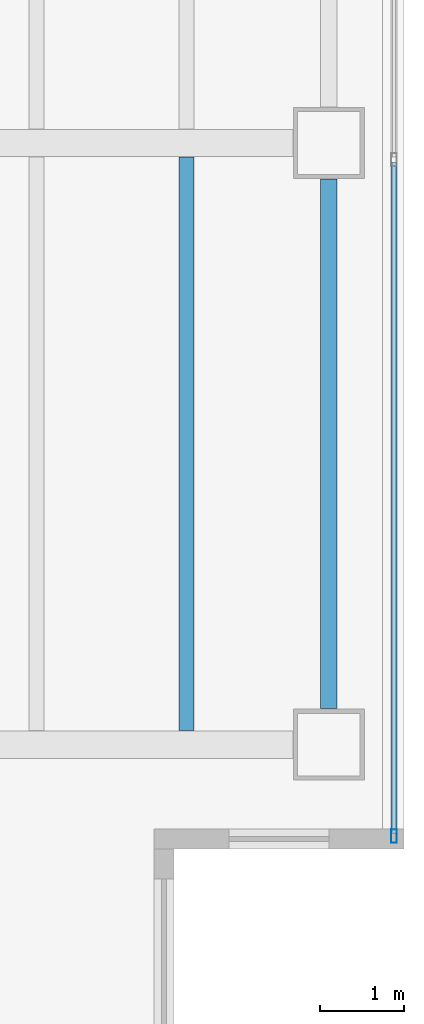
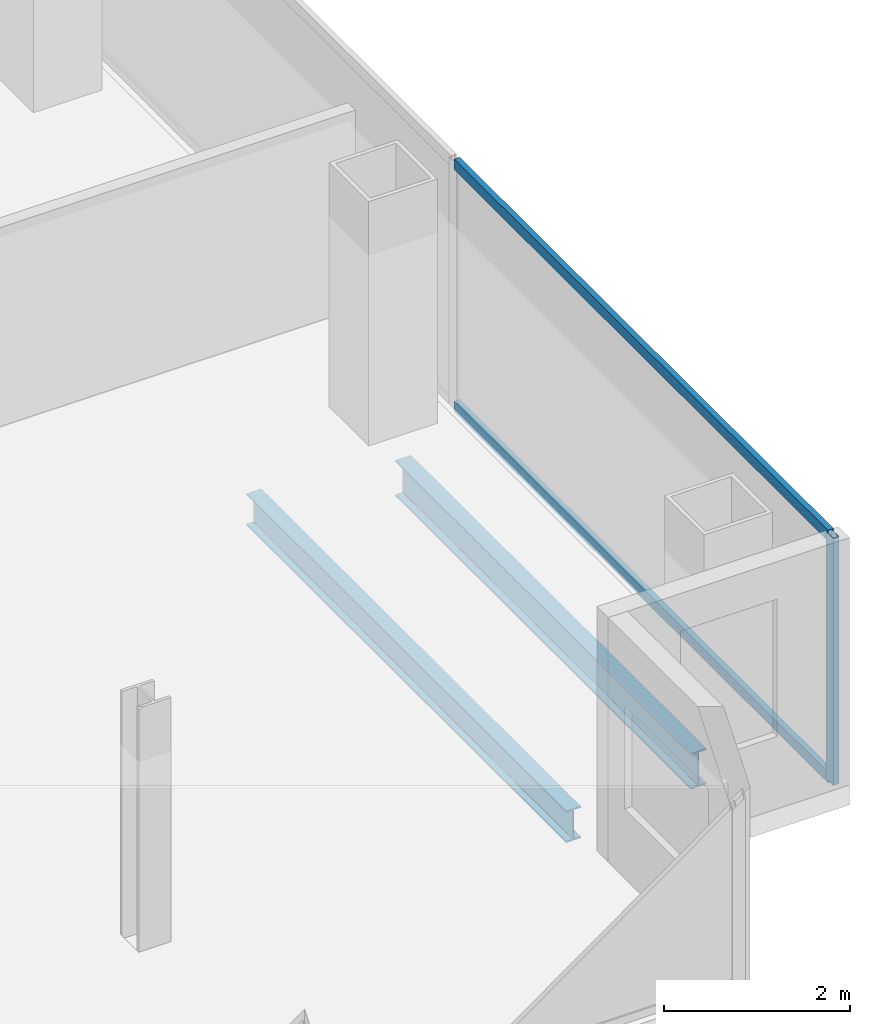
# One storey, part 12 of 23: 3 members, 2 beams, 1 element without a shape of its own.
"""IFC4 building model written with IfcOpenShell, lengths in metres."""

from ifc_helpers import new_model, si_unit, direction, frame, origin, origin_2d, place, context, subcontext, project, spatial, hollow_rectangle, i_section, extrude, material, material_profile, profile_set, type_object, element, aggregate, save


model = new_model("IFC4")

# Units and contexts
model_context = context("Model", 3, precision=1e-05, world=origin(), true_north=direction((0.0, 1.0)))
body_context = subcontext(model_context, "Body", "Model", "MODEL_VIEW")
ifc_project = project(units=[si_unit("LENGTHUNIT", "METRE"), si_unit("AREAUNIT", "SQUARE_METRE"), si_unit("VOLUMEUNIT", "CUBIC_METRE"), si_unit("PLANEANGLEUNIT", "RADIAN"), si_unit("MASSUNIT", "GRAM", prefix="KILO")], contexts=[model_context])

# Site, building, storey
site_placement = place(None, origin())
site = spatial("IfcSite", under=ifc_project, at=site_placement, CompositionType="ELEMENT")
building_placement = place(site_placement, origin())
building = spatial("IfcBuilding", under=site, at=building_placement, Name="Cobrela Telecom Tower", CompositionType="ELEMENT")
storey_placement = place(building_placement, frame((0.0, 0.0, 176.75)))
storey = spatial("IfcBuildingStorey", under=building, at=storey_placement, Name="L44", CompositionType="ELEMENT", Elevation=176.75)

# Beams
ifc_material_1 = material(Name="Steel ASTM A992 Grade 50", Category="steel")
ifc_material_profile_1 = material_profile(ifc_material_1, i_section(OverallWidth=0.179931640625, OverallDepth=0.4169921875, WebThickness=0.010986328125, FlangeThickness=0.01806640625, FilletRadius=0.011962890625, at=origin_2d()), Name="W16X57")
ifc_profile_set_1 = profile_set([ifc_material_profile_1], Name="Steel ASTM A992 Grade 50")
beam_type_1 = type_object("IfcBeamType", Name="BM-JOIST-04", PredefinedType="JOIST", material=ifc_profile_set_1)
beam_1_placement = place(storey_placement, frame((41.39990234375, 7.368896484375, -0.468505859375), z_axis=(0.0, 1.0, 0.0), x_axis=(-1.0, 0.0, 0.0)))
element("IfcBeam", 1, at=beam_1_placement, inside=storey, type_object=beam_type_1, Name="L44 Secondary Composite Floor Beam J29", PredefinedType="JOIST", context=body_context, shape_type="SweptSolid", body=[
    extrude(i_section(OverallWidth=0.179931640625, OverallDepth=0.4169921875, WebThickness=0.010986328125, FlangeThickness=0.01806640625, FilletRadius=0.011962890625, at=origin_2d()), origin(), (0.0, 0.0, 1.0), 6.862060546875),
])
ifc_material_profile_2 = material_profile(ifc_material_1, i_section(OverallWidth=0.193115234375, OverallDepth=0.467041015625, WebThickness=0.011474609375, FlangeThickness=0.01904296875, FilletRadius=0.012939453125, at=origin_2d()), Name="W18X65")
ifc_profile_set_2 = profile_set([ifc_material_profile_2], Name="Steel ASTM A992 Grade 50")
beam_type_2 = type_object("IfcBeamType", Name="BM-SPAND-05", PredefinedType="SPANDREL", material=ifc_profile_set_2)
beam_2_placement = place(storey_placement, frame((43.10009765625, 7.6298828125, -0.493408203125), z_axis=(0.0, 1.0, 0.0), x_axis=(-1.0, 0.0, 0.0)))
element("IfcBeam", 2, at=beam_2_placement, inside=storey, type_object=beam_type_2, Name="L44 Perimeter Spandrel Y42", PredefinedType="SPANDREL", context=body_context, shape_type="SweptSolid", body=[
    extrude(i_section(OverallWidth=0.193115234375, OverallDepth=0.467041015625, WebThickness=0.011474609375, FlangeThickness=0.01904296875, FilletRadius=0.012939453125, at=origin_2d()), origin(), (0.0, 0.0, 1.0), 6.340087890625),
])

# Curtain wall, members
ifc_material_2 = material(Name="Anodized Bronze Aluminium 6063-T6", Category="aluminium")
curtain_wall_type = type_object("IfcCurtainWallType", Name="CW-SYS-OFF-LO", PredefinedType="USERDEFINED", material=ifc_material_2)
curtain_wall_placement = place(storey_placement, origin())
curtain_wall = element("IfcCurtainWall", 3, at=curtain_wall_placement, inside=storey, type_object=curtain_wall_type, Name="L44 Unitised Bronze Curtain Wall 14", ObjectType="UNITISED CURTAIN WALL", PredefinedType="USERDEFINED")
ifc_material_profile_3 = material_profile(ifc_material_2, hollow_rectangle(XDim=0.070068359375, YDim=0.159912109375, WallThickness=0.00390625, at=origin_2d()), Name="ALU 70x160x4")
ifc_profile_set_3 = profile_set([ifc_material_profile_3], Name="Anodized Bronze Aluminium 6063-T6")
member_type_1 = type_object("IfcMemberType", Name="CW-SYS-OFF-LO-MUL", PredefinedType="MULLION", material=ifc_profile_set_3)
member_1_placement = place(storey_placement, frame((43.8798828125, 6.10498046875, 0.0), z_axis=(0.0, 0.0, 1.0), x_axis=(1.0, 0.0, 0.0)))
member_1 = element("IfcMember", 4, at=member_1_placement, type_object=member_type_1, Name="CW-OFF-LO mullion 3", PredefinedType="MULLION", context=body_context, shape_type="SweptSolid", body=[
    extrude(hollow_rectangle(XDim=0.070068359375, YDim=0.159912109375, WallThickness=0.00390625, at=origin_2d()), origin(), (0.0, 0.0, 1.0), 3.239990234375),
])
ifc_material_profile_4 = material_profile(ifc_material_2, hollow_rectangle(XDim=0.070068359375, YDim=0.139892578125, WallThickness=0.00390625, at=origin_2d()), Name="ALU 70x140x4")
ifc_profile_set_4 = profile_set([ifc_material_profile_4], Name="Anodized Bronze Aluminium 6063-T6")
member_type_2 = type_object("IfcMemberType", Name="CW-SYS-OFF-LO-TRN", PredefinedType="USERDEFINED", material=ifc_profile_set_4)
member_2_placement = place(storey_placement, frame((43.8798828125, 14.1650390625, 0.034912109375), z_axis=(0.0, -1.0, 0.0), x_axis=(1.0, 0.0, 0.0)))
member_2 = element("IfcMember", 5, at=member_2_placement, type_object=member_type_2, Name="CW-OFF-LO transom 2.1", ObjectType="TRANSOM", PredefinedType="USERDEFINED", context=body_context, shape_type="SweptSolid", body=[
    extrude(hollow_rectangle(XDim=0.070068359375, YDim=0.139892578125, WallThickness=0.00390625, at=origin_2d()), origin(), (0.0, 0.0, 1.0), 8.025146484375),
])
member_3_placement = place(storey_placement, frame((43.8798828125, 14.1650390625, 3.205078125), z_axis=(0.0, -1.0, 0.0), x_axis=(1.0, 0.0, 0.0)))
member_3 = element("IfcMember", 6, at=member_3_placement, type_object=member_type_2, Name="CW-OFF-LO transom 2.2", ObjectType="TRANSOM", PredefinedType="USERDEFINED", context=body_context, shape_type="SweptSolid", body=[
    extrude(hollow_rectangle(XDim=0.070068359375, YDim=0.139892578125, WallThickness=0.00390625, at=origin_2d()), origin(), (0.0, 0.0, 1.0), 8.025146484375),
])
aggregate(curtain_wall, [member_1, member_2, member_3])

save(model, "model.ifc")
